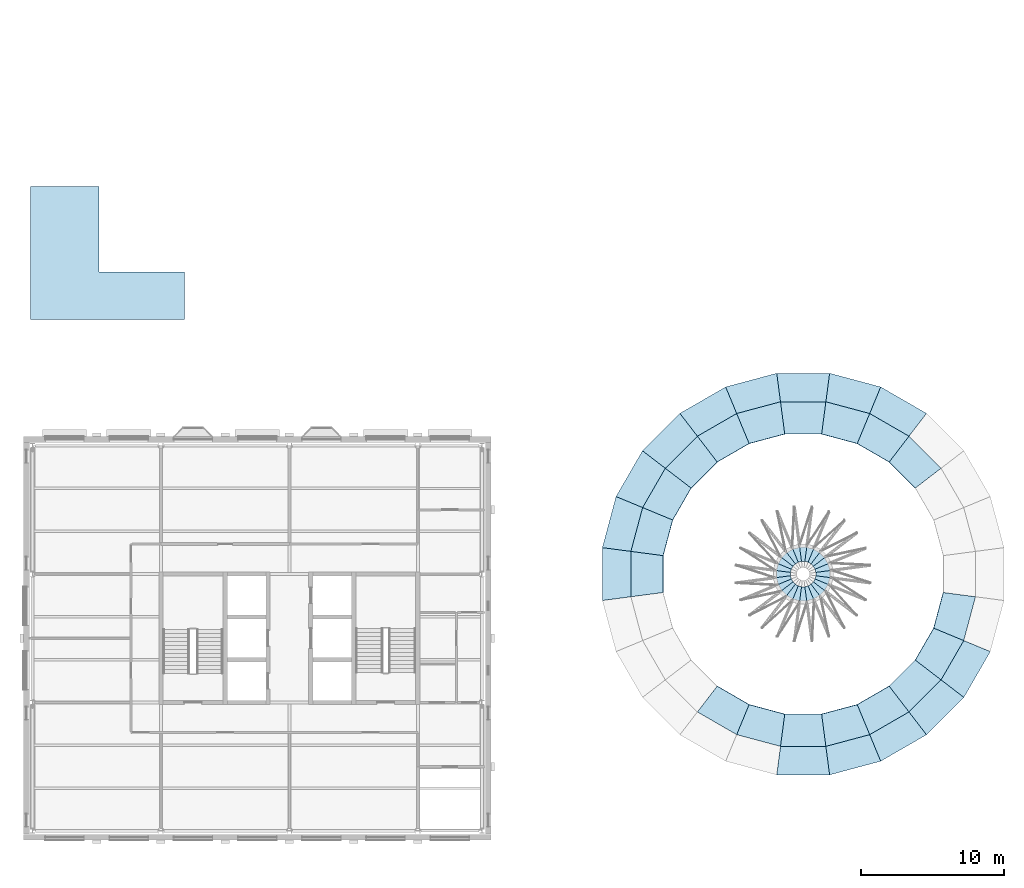
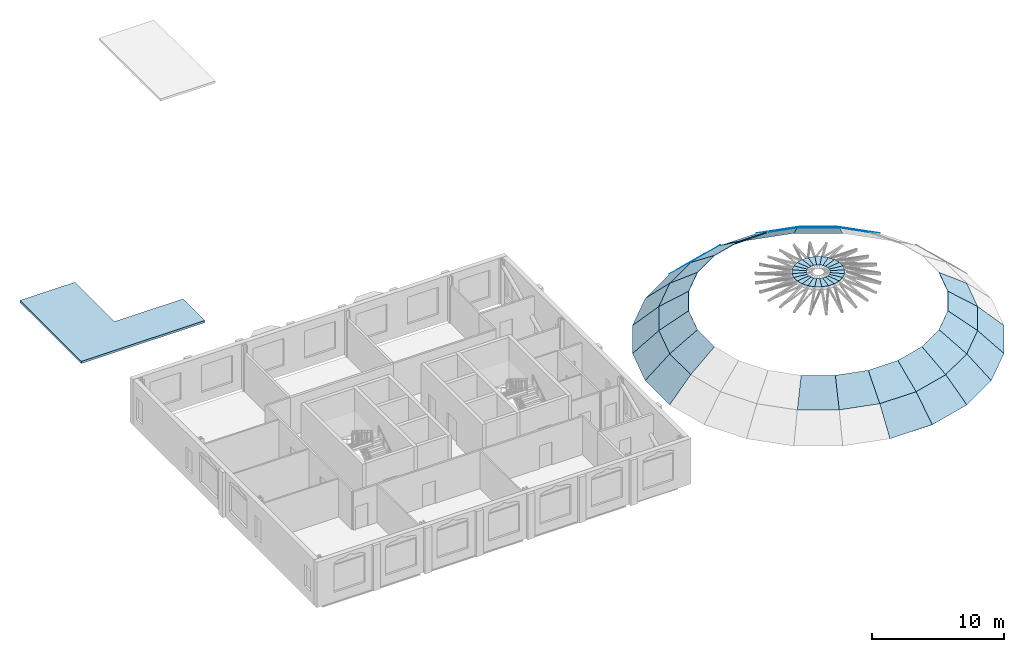
# One storey, part 6 of 15: 56 plates, 1 slab.
"""IFC4 building model written with IfcOpenShell, lengths in metres."""

from ifc_helpers import new_model, si_unit, direction, frame, origin, place, context, subcontext, project, spatial, polyline, outline, extrude, material, layer, layer_set, type_object, element, save


model = new_model("IFC4")

# Units and contexts
model_context = context("Model", 3, precision=1e-05, world=origin(), true_north=direction((0.0, 1.0)))
body_context = subcontext(model_context, "Body", "Model", "MODEL_VIEW")
ifc_project = project(units=[si_unit("LENGTHUNIT", "METRE"), si_unit("AREAUNIT", "SQUARE_METRE"), si_unit("VOLUMEUNIT", "CUBIC_METRE"), si_unit("PLANEANGLEUNIT", "RADIAN"), si_unit("MASSUNIT", "GRAM", prefix="KILO")], contexts=[model_context])

# Site, building, storey
site_placement = place(None, origin())
site = spatial("IfcSite", under=ifc_project, at=site_placement, CompositionType="ELEMENT")
building_placement = place(site_placement, origin())
building = spatial("IfcBuilding", under=site, at=building_placement, Name="Hortulan Conservatory and Botanical Research Centre", CompositionType="ELEMENT")
storey_placement = place(building_placement, frame((0.0, 0.0, 23.39990234375)))
storey = spatial("IfcBuildingStorey", under=building, at=storey_placement, Name="L05", CompositionType="ELEMENT", Elevation=23.39990234375)

# Plates
ifc_material_1 = material(Name="Low-e laminated glass", Category="glass")
ifc_layer_1 = layer(ifc_material_1, 0.030029296875)
ifc_layer_set_1 = layer_set([ifc_layer_1], Name="Dome Glazing Panel 30")
plate_type = type_object("IfcPlateType", Name="Dome Glazing Panel 30", PredefinedType="SHEET", material=ifc_layer_set_1)
plate_1_placement = place(storey_placement, frame((62.639404296875, 29.259033203125, -5.60791015625), z_axis=(0.348036569996, 0.602781169641, 0.718000980132), x_axis=(-0.866012357537, 0.500022596082, -3.27049e-07)))
element("IfcPlate", 1, at=plate_1_placement, inside=storey, type_object=plate_type, Name="Dome glazing panel", PredefinedType="SHEET", context=body_context, shape_type="SweptSolid", body=[
    extrude(outline(polyline([(0.0, 0.0), (3.7049086576722163, 0.0), (3.441649896173337, 2.7825453784847483), (0.26307654858377044, 2.782542144144782), (0.0, 0.0)])), origin(), (0.0, 0.0, -1.0), 0.030029296875),
])
plate_2_placement = place(storey_placement, frame((59.430908203125, 31.111572265625, -5.60791015625), z_axis=(0.180135919613, 0.672331337627, 0.717998344643), x_axis=(-0.96593347669, 0.258790491577, 8.854813e-06)))
element("IfcPlate", 2, at=plate_2_placement, inside=storey, type_object=plate_type, Name="Dome glazing panel", PredefinedType="SHEET", context=body_context, shape_type="SweptSolid", body=[
    extrude(outline(polyline([(0.0, 0.0), (3.704815225036295, 0.0), (3.441802043164362, 2.782489108197208), (0.26292770406576554, 2.7825766798388), (0.0, 0.0)])), origin(), (0.0, 0.0, -1.0), 0.030029296875),
])
plate_3_placement = place(storey_placement, frame((55.852294921875, 32.0703125, -5.60791015625), z_axis=(0.0, 0.696054019377, 0.717989416433), x_axis=(-1.0, 0.0, 0.0)))
element("IfcPlate", 3, at=plate_3_placement, inside=storey, type_object=plate_type, Name="Dome glazing panel", PredefinedType="SHEET", context=body_context, shape_type="SweptSolid", body=[
    extrude(outline(polyline([(0.0, 0.0), (3.70458984375, 0.0), (3.441650390625, 2.7824960767541804), (0.262939453125, 2.7824960767541804), (0.0, 0.0)])), origin(), (0.0, 0.0, -1.0), 0.030029296875),
])
plate_4_placement = place(storey_placement, frame((52.147705078125, 32.0703125, -5.60791015625), z_axis=(-0.180135919613, 0.672331337627, 0.717998344643), x_axis=(-0.96593347669, -0.258790491577, -8.854813e-06)))
element("IfcPlate", 4, at=plate_4_placement, inside=storey, type_object=plate_type, Name="Dome glazing panel", PredefinedType="SHEET", context=body_context, shape_type="SweptSolid", body=[
    extrude(outline(polyline([(0.0, 0.0), (3.704815225036295, 0.0), (3.4418875209705293, 2.7825766798388), (0.263013181871933, 2.782489108197208), (0.0, 0.0)])), origin(), (0.0, 0.0, -1.0), 0.030029296875),
])
plate_5_placement = place(storey_placement, frame((48.569091796875, 31.111572265625, -5.60791015625), z_axis=(-0.348036569996, 0.602781169641, 0.718000980132), x_axis=(-0.866012357537, -0.500022596082, 3.27049e-07)))
element("IfcPlate", 5, at=plate_5_placement, inside=storey, type_object=plate_type, Name="Dome glazing panel", PredefinedType="SHEET", context=body_context, shape_type="SweptSolid", body=[
    extrude(outline(polyline([(0.0, 0.0), (3.7049086576722163, 0.0), (3.4418321090884456, 2.782542144144782), (0.2632587614988792, 2.7825453784847487), (0.0, 0.0)])), origin(), (0.0, 0.0, -1.0), 0.030029296875),
])
plate_6_placement = place(storey_placement, frame((45.360595703125, 29.259033203125, -5.60791015625), z_axis=(-0.492173764936, 0.492173764936, 0.71800415752), x_axis=(-0.707106781187, -0.707106781187, 0.0)))
element("IfcPlate", 6, at=plate_6_placement, inside=storey, type_object=plate_type, Name="Dome glazing panel", PredefinedType="SHEET", context=body_context, shape_type="SweptSolid", body=[
    extrude(outline(polyline([(0.0, 0.0), (3.7047147276033474, 0.0), (3.4417939200478997, 2.7825568643450627), (0.26292080755544733, 2.7825568643450627), (0.0, 0.0)])), origin(), (0.0, 0.0, -1.0), 0.030029296875),
])
plate_7_placement = place(storey_placement, frame((42.740966796875, 26.639404296875, -5.60791015625), z_axis=(-0.602781169641, 0.348036569996, 0.718000980132), x_axis=(-0.500022596082, -0.866012357537, -3.27049e-07)))
element("IfcPlate", 7, at=plate_7_placement, inside=storey, type_object=plate_type, Name="Dome glazing panel", PredefinedType="SHEET", context=body_context, shape_type="SweptSolid", body=[
    extrude(outline(polyline([(0.0, 0.0), (3.7049086576722163, 0.0), (3.441649896173337, 2.7825453784847483), (0.26307654858377044, 2.782542144144782), (0.0, 0.0)])), origin(), (0.0, 0.0, -1.0), 0.030029296875),
])
plate_8_placement = place(storey_placement, frame((40.888427734375, 23.430908203125, -5.60791015625), z_axis=(-0.672331337627, 0.180135919613, 0.717998344643), x_axis=(-0.258790491577, -0.96593347669, 8.854813e-06)))
element("IfcPlate", 8, at=plate_8_placement, inside=storey, type_object=plate_type, Name="Dome glazing panel", PredefinedType="SHEET", context=body_context, shape_type="SweptSolid", body=[
    extrude(outline(polyline([(0.0, 0.0), (3.704815225036295, 0.0), (3.441802043164362, 2.782489108197208), (0.26292770406576554, 2.7825766798388), (0.0, 0.0)])), origin(), (0.0, 0.0, -1.0), 0.030029296875),
])
for number, where, z_axis, x_axis, name in (
    (9, (39.9296875, 19.852294921875, -5.60791015625), (-0.696054019377, 0.0, 0.717989416433), (0.0, -1.0, 0.0), "Dome glazing panel"),
    (10, (52.147705078125, 3.9296875, -5.60791015625), (0.0, -0.696054019377, 0.717989416433), (1.0, 0.0, 0.0), "Dome glazing panel"),
):
    element("IfcPlate", number, at=place(storey_placement, frame(where, z_axis=z_axis, x_axis=x_axis)), inside=storey, type_object=plate_type, Name=name, PredefinedType="SHEET", context=body_context, shape_type="SweptSolid", body=[
        extrude(outline(polyline([(0.0, 0.0), (3.70458984375, 0.0), (3.441650390625, 2.7824960767541804), (0.262939453125, 2.7824960767541804), (0.0, 0.0)])), origin(), (0.0, 0.0, -1.0), 0.030029296875),
    ])
plate_9_placement = place(storey_placement, frame((55.852294921875, 3.9296875, -5.60791015625), z_axis=(0.180135919613, -0.672331337627, 0.717998344643), x_axis=(0.96593347669, 0.258790491577, -8.854813e-06)))
element("IfcPlate", 11, at=plate_9_placement, inside=storey, type_object=plate_type, Name="Dome glazing panel", PredefinedType="SHEET", context=body_context, shape_type="SweptSolid", body=[
    extrude(outline(polyline([(0.0, 0.0), (3.704815225036295, 0.0), (3.4418875209705293, 2.7825766798388), (0.263013181871933, 2.782489108197208), (0.0, 0.0)])), origin(), (0.0, 0.0, -1.0), 0.030029296875),
])
plate_10_placement = place(storey_placement, frame((59.430908203125, 4.888427734375, -5.60791015625), z_axis=(0.348036569996, -0.602781169641, 0.718000980132), x_axis=(0.866012357537, 0.500022596082, 3.27049e-07)))
element("IfcPlate", 12, at=plate_10_placement, inside=storey, type_object=plate_type, Name="Dome glazing panel", PredefinedType="SHEET", context=body_context, shape_type="SweptSolid", body=[
    extrude(outline(polyline([(0.0, 0.0), (3.7049086576722163, 0.0), (3.4418321090884456, 2.782542144144782), (0.2632587614988792, 2.7825453784847487), (0.0, 0.0)])), origin(), (0.0, 0.0, -1.0), 0.030029296875),
])
plate_11_placement = place(storey_placement, frame((62.639404296875, 6.740966796875, -5.60791015625), z_axis=(0.492173764936, -0.492173764936, 0.71800415752), x_axis=(0.707106781187, 0.707106781187, 0.0)))
element("IfcPlate", 13, at=plate_11_placement, inside=storey, type_object=plate_type, Name="Dome glazing panel", PredefinedType="SHEET", context=body_context, shape_type="SweptSolid", body=[
    extrude(outline(polyline([(0.0, 0.0), (3.7047147276033474, 0.0), (3.4417939200478997, 2.7825568643450627), (0.26292080755544733, 2.7825568643450627), (0.0, 0.0)])), origin(), (0.0, 0.0, -1.0), 0.030029296875),
])
plate_12_placement = place(storey_placement, frame((65.259033203125, 9.360595703125, -5.60791015625), z_axis=(0.602781169641, -0.348036569996, 0.718000980132), x_axis=(0.500022596082, 0.866012357537, -3.27049e-07)))
element("IfcPlate", 14, at=plate_12_placement, inside=storey, type_object=plate_type, Name="Dome glazing panel", PredefinedType="SHEET", context=body_context, shape_type="SweptSolid", body=[
    extrude(outline(polyline([(0.0, 0.0), (3.7049086576722163, 0.0), (3.441649896173337, 2.7825453784847483), (0.26307654858377044, 2.782542144144782), (0.0, 0.0)])), origin(), (0.0, 0.0, -1.0), 0.030029296875),
])
plate_13_placement = place(storey_placement, frame((63.660400390625, 25.41259765625, -3.671142578125), z_axis=(0.412584942456, 0.412584942456, 0.812125193869), x_axis=(-0.707106781187, 0.707106781187, 0.0)))
element("IfcPlate", 15, at=plate_13_placement, inside=storey, type_object=plate_type, Name="Dome glazing panel", PredefinedType="SHEET", context=body_context, shape_type="SweptSolid", body=[
    extrude(outline(polyline([(0.0, 0.0), (3.178873112492453, 0.0), (2.8815982401283815, 2.779140808484649), (0.297274872364071, 2.7791408084846485), (0.0, 0.0)])), origin(), (0.0, 0.0, -1.0), 0.030029296875),
])
plate_14_placement = place(storey_placement, frame((61.41259765625, 27.660400390625, -3.671142578125), z_axis=(0.291738179215, 0.505295568728, 0.812136209642), x_axis=(-0.866015735142, 0.500016746143, -7.871061e-06)))
element("IfcPlate", 16, at=plate_14_placement, inside=storey, type_object=plate_type, Name="Dome glazing panel", PredefinedType="SHEET", context=body_context, shape_type="SweptSolid", body=[
    extrude(outline(polyline([(0.0, 0.0), (3.1785733474423767, -2.220446049250313e-16), (2.8814819439043142, 2.779252712095733), (0.2969553576927801, 2.7791749670922696), (0.0, 0.0)])), origin(), (0.0, 0.0, -1.0), 0.030029296875),
])
plate_15_placement = place(storey_placement, frame((58.659912109375, 29.249755859375, -3.671142578125), z_axis=(0.150989585877, 0.563572522042, 0.812150329284), x_axis=(-0.96592859097, 0.258808726506, -1.5180425e-05)))
element("IfcPlate", 17, at=plate_15_placement, inside=storey, type_object=plate_type, Name="Dome glazing panel", PredefinedType="SHEET", context=body_context, shape_type="SweptSolid", body=[
    extrude(outline(polyline([(0.0, 0.0), (3.1788743400778485, 1.1102230246251565e-16), (2.8816303902610962, 2.7793824362834103), (0.29728055027784417, 2.7792324860638553), (0.0, 0.0)])), origin(), (0.0, 0.0, -1.0), 0.030029296875),
])
plate_16_placement = place(storey_placement, frame((55.58935546875, 30.072509765625, -3.671142578125), z_axis=(0.0, 0.583429694249, 0.812163648453), x_axis=(-1.0, 0.0, 0.0)))
element("IfcPlate", 18, at=plate_16_placement, inside=storey, type_object=plate_type, Name="Dome glazing panel", PredefinedType="SHEET", context=body_context, shape_type="SweptSolid", body=[
    extrude(outline(polyline([(0.0, 0.0), (3.1787109375, 0.0), (2.881591796875, 2.7793957819332196), (0.297119140625, 2.7793957819332196), (0.0, 0.0)])), origin(), (0.0, 0.0, -1.0), 0.030029296875),
])
plate_17_placement = place(storey_placement, frame((52.41064453125, 30.072509765625, -3.671142578125), z_axis=(-0.150989585877, 0.563572522042, 0.812150329284), x_axis=(-0.96592859097, -0.258808726506, 1.5180425e-05)))
element("IfcPlate", 19, at=plate_17_placement, inside=storey, type_object=plate_type, Name="Dome glazing panel", PredefinedType="SHEET", context=body_context, shape_type="SweptSolid", body=[
    extrude(outline(polyline([(0.0, 0.0), (3.1788743400778485, -1.1102230246251565e-16), (2.881593789800004, 2.7792324860638544), (0.29724394981675195, 2.7793824362834103), (0.0, 0.0)])), origin(), (0.0, 0.0, -1.0), 0.030029296875),
])
plate_18_placement = place(storey_placement, frame((49.340087890625, 29.249755859375, -3.671142578125), z_axis=(-0.291738179215, 0.505295568728, 0.812136209642), x_axis=(-0.866015735142, -0.500016746143, 7.871061e-06)))
element("IfcPlate", 20, at=plate_18_placement, inside=storey, type_object=plate_type, Name="Dome glazing panel", PredefinedType="SHEET", context=body_context, shape_type="SweptSolid", body=[
    extrude(outline(polyline([(0.0, 0.0), (3.1785733474423767, 2.220446049250313e-16), (2.8816179897495964, 2.7791749670922696), (0.29709140353806257, 2.779252712095733), (0.0, 0.0)])), origin(), (0.0, 0.0, -1.0), 0.030029296875),
])
plate_19_placement = place(storey_placement, frame((46.58740234375, 27.660400390625, -3.671142578125), z_axis=(-0.412584942456, 0.412584942456, 0.812125193869), x_axis=(-0.707106781187, -0.707106781187, 0.0)))
element("IfcPlate", 21, at=plate_19_placement, inside=storey, type_object=plate_type, Name="Dome glazing panel", PredefinedType="SHEET", context=body_context, shape_type="SweptSolid", body=[
    extrude(outline(polyline([(0.0, 0.0), (3.178873112492453, 0.0), (2.8815982401283815, 2.779140808484649), (0.297274872364071, 2.7791408084846485), (0.0, 0.0)])), origin(), (0.0, 0.0, -1.0), 0.030029296875),
])
plate_20_placement = place(storey_placement, frame((44.339599609375, 25.41259765625, -3.671142578125), z_axis=(-0.505295568728, 0.291738179215, 0.812136209642), x_axis=(-0.500016746143, -0.866015735142, -7.871061e-06)))
element("IfcPlate", 22, at=plate_20_placement, inside=storey, type_object=plate_type, Name="Dome glazing panel", PredefinedType="SHEET", context=body_context, shape_type="SweptSolid", body=[
    extrude(outline(polyline([(0.0, 0.0), (3.1785733474423767, -2.220446049250313e-16), (2.8814819439043142, 2.779252712095733), (0.2969553576927801, 2.7791749670922696), (0.0, 0.0)])), origin(), (0.0, 0.0, -1.0), 0.030029296875),
])
plate_21_placement = place(storey_placement, frame((42.750244140625, 22.659912109375, -3.671142578125), z_axis=(-0.563572522042, 0.150989585877, 0.812150329284), x_axis=(-0.258808726506, -0.96592859097, -1.5180425e-05)))
element("IfcPlate", 23, at=plate_21_placement, inside=storey, type_object=plate_type, Name="Dome glazing panel", PredefinedType="SHEET", context=body_context, shape_type="SweptSolid", body=[
    extrude(outline(polyline([(0.0, 0.0), (3.1788743400778485, 1.1102230246251565e-16), (2.8816303902610962, 2.7793824362834103), (0.29728055027784417, 2.7792324860638553), (0.0, 0.0)])), origin(), (0.0, 0.0, -1.0), 0.030029296875),
])
plate_22_placement = place(storey_placement, frame((41.927490234375, 19.58935546875, -3.671142578125), z_axis=(-0.583429694249, 0.0, 0.812163648453), x_axis=(0.0, -1.0, 0.0)))
element("IfcPlate", 24, at=plate_22_placement, inside=storey, type_object=plate_type, Name="Dome glazing panel", PredefinedType="SHEET", context=body_context, shape_type="SweptSolid", body=[
    extrude(outline(polyline([(0.0, 0.0), (3.1787109375, 0.0), (2.881591796875, 2.7793957819332196), (0.297119140625, 2.7793957819332196), (0.0, 0.0)])), origin(), (0.0, 0.0, -1.0), 0.030029296875),
])
plate_23_placement = place(storey_placement, frame((46.58740234375, 8.339599609375, -3.671142578125), z_axis=(-0.291738179215, -0.505295568728, 0.812136209642), x_axis=(0.866015735142, -0.500016746143, -7.871061e-06)))
element("IfcPlate", 25, at=plate_23_placement, inside=storey, type_object=plate_type, Name="Dome glazing panel", PredefinedType="SHEET", context=body_context, shape_type="SweptSolid", body=[
    extrude(outline(polyline([(0.0, 0.0), (3.1785733474423767, -2.220446049250313e-16), (2.8814819439043142, 2.779252712095733), (0.2969553576927801, 2.7791749670922696), (0.0, 0.0)])), origin(), (0.0, 0.0, -1.0), 0.030029296875),
])
plate_24_placement = place(storey_placement, frame((49.340087890625, 6.750244140625, -3.671142578125), z_axis=(-0.150989585877, -0.563572522042, 0.812150329284), x_axis=(0.96592859097, -0.258808726506, -1.5180425e-05)))
element("IfcPlate", 26, at=plate_24_placement, inside=storey, type_object=plate_type, Name="Dome glazing panel", PredefinedType="SHEET", context=body_context, shape_type="SweptSolid", body=[
    extrude(outline(polyline([(0.0, 0.0), (3.1788743400778485, 1.1102230246251565e-16), (2.8816303902610962, 2.7793824362834103), (0.29728055027784417, 2.7792324860638553), (0.0, 0.0)])), origin(), (0.0, 0.0, -1.0), 0.030029296875),
])
plate_25_placement = place(storey_placement, frame((52.41064453125, 5.927490234375, -3.671142578125), z_axis=(0.0, -0.583429694249, 0.812163648453), x_axis=(1.0, 0.0, 0.0)))
element("IfcPlate", 27, at=plate_25_placement, inside=storey, type_object=plate_type, Name="Dome glazing panel", PredefinedType="SHEET", context=body_context, shape_type="SweptSolid", body=[
    extrude(outline(polyline([(0.0, 0.0), (3.1787109375, 0.0), (2.881591796875, 2.7793957819332196), (0.297119140625, 2.7793957819332196), (0.0, 0.0)])), origin(), (0.0, 0.0, -1.0), 0.030029296875),
])
plate_26_placement = place(storey_placement, frame((55.58935546875, 5.927490234375, -3.671142578125), z_axis=(0.150989585877, -0.563572522042, 0.812150329284), x_axis=(0.96592859097, 0.258808726506, 1.5180425e-05)))
element("IfcPlate", 28, at=plate_26_placement, inside=storey, type_object=plate_type, Name="Dome glazing panel", PredefinedType="SHEET", context=body_context, shape_type="SweptSolid", body=[
    extrude(outline(polyline([(0.0, 0.0), (3.1788743400778485, -1.1102230246251565e-16), (2.881593789800004, 2.7792324860638544), (0.29724394981675195, 2.7793824362834103), (0.0, 0.0)])), origin(), (0.0, 0.0, -1.0), 0.030029296875),
])
plate_27_placement = place(storey_placement, frame((58.659912109375, 6.750244140625, -3.671142578125), z_axis=(0.291738179215, -0.505295568728, 0.812136209642), x_axis=(0.866015735142, 0.500016746143, 7.871061e-06)))
element("IfcPlate", 29, at=plate_27_placement, inside=storey, type_object=plate_type, Name="Dome glazing panel", PredefinedType="SHEET", context=body_context, shape_type="SweptSolid", body=[
    extrude(outline(polyline([(0.0, 0.0), (3.1785733474423767, 2.220446049250313e-16), (2.8816179897495964, 2.7791749670922696), (0.29709140353806257, 2.779252712095733), (0.0, 0.0)])), origin(), (0.0, 0.0, -1.0), 0.030029296875),
])
plate_28_placement = place(storey_placement, frame((61.41259765625, 8.339599609375, -3.671142578125), z_axis=(0.412584942456, -0.412584942456, 0.812125193869), x_axis=(0.707106781187, 0.707106781187, 0.0)))
element("IfcPlate", 30, at=plate_28_placement, inside=storey, type_object=plate_type, Name="Dome glazing panel", PredefinedType="SHEET", context=body_context, shape_type="SweptSolid", body=[
    extrude(outline(polyline([(0.0, 0.0), (3.178873112492453, 0.0), (2.8815982401283815, 2.779140808484649), (0.297274872364071, 2.7791408084846485), (0.0, 0.0)])), origin(), (0.0, 0.0, -1.0), 0.030029296875),
])
plate_29_placement = place(storey_placement, frame((63.660400390625, 10.58740234375, -3.671142578125), z_axis=(0.505295568728, -0.291738179215, 0.812136209642), x_axis=(0.500016746143, 0.866015735142, -7.871061e-06)))
element("IfcPlate", 31, at=plate_29_placement, inside=storey, type_object=plate_type, Name="Dome glazing panel", PredefinedType="SHEET", context=body_context, shape_type="SweptSolid", body=[
    extrude(outline(polyline([(0.0, 0.0), (3.1785733474423767, -2.220446049250313e-16), (2.8814819439043142, 2.779252712095733), (0.2969553576927801, 2.7791749670922696), (0.0, 0.0)])), origin(), (0.0, 0.0, -1.0), 0.030029296875),
])
plate_30_placement = place(storey_placement, frame((65.249755859375, 13.340087890625, -3.671142578125), z_axis=(0.563572522042, -0.150989585877, 0.812150329284), x_axis=(0.258808726506, 0.96592859097, -1.5180425e-05)))
element("IfcPlate", 32, at=plate_30_placement, inside=storey, type_object=plate_type, Name="Dome glazing panel", PredefinedType="SHEET", context=body_context, shape_type="SweptSolid", body=[
    extrude(outline(polyline([(0.0, 0.0), (3.1788743400778485, 1.1102230246251565e-16), (2.8816303902610962, 2.7793824362834103), (0.29728055027784417, 2.7792324860638553), (0.0, 0.0)])), origin(), (0.0, 0.0, -1.0), 0.030029296875),
])
plate_31_placement = place(storey_placement, frame((56.00048828125, 18.263427734375, 0.660400390625), z_axis=(0.0, 0.0, 1.0), x_axis=(-0.259075840993, 0.965856981449, 0.0)))
element("IfcPlate", 33, at=plate_31_placement, inside=storey, type_object=plate_type, Name="Dome crown glazing", PredefinedType="SHEET", context=body_context, shape_type="SweptSolid", body=[
    extrude(outline(polyline([(0.0, 0.0), (0.5267747422985348, -2.7755575615628914e-17), (0.3811327257121013, 1.108034679679616), (0.14608466000047413, 1.1081426249293593), (0.0, 0.0)])), origin(), (0.0, 0.0, -1.0), 0.030029296875),
])
plate_32_placement = place(storey_placement, frame((55.864013671875, 18.772216796875, 0.660400390625), z_axis=(0.0, 0.0, 1.0), x_axis=(-0.500177194509, 0.865923076314, 0.0)))
element("IfcPlate", 34, at=plate_32_placement, inside=storey, type_object=plate_type, Name="Dome crown glazing", PredefinedType="SHEET", context=body_context, shape_type="SweptSolid", body=[
    extrude(outline(polyline([(0.0, 0.0), (0.5266688231029707, 2.7755575615628914e-17), (0.38087189428828483, 1.107949348435724), (0.14603323385654826, 1.1079831871366421), (0.0, 0.0)])), origin(), (0.0, 0.0, -1.0), 0.030029296875),
])
plate_33_placement = place(storey_placement, frame((55.6005859375, 19.228271484375, 0.660400390625), z_axis=(0.0, 0.0, 1.0), x_axis=(-0.707106781187, 0.707106781187, 0.0)))
element("IfcPlate", 35, at=plate_33_placement, inside=storey, type_object=plate_type, Name="Dome crown glazing", PredefinedType="SHEET", context=body_context, shape_type="SweptSolid", body=[
    extrude(outline(polyline([(0.0, 0.0), (0.526532149076897, 0.0), (0.380829482250372, 1.1079617484509918), (0.14570266682652494, 1.1079617484509918), (0.0, 0.0)])), origin(), (0.0, 0.0, -1.0), 0.030029296875),
])
plate_34_placement = place(storey_placement, frame((55.228271484375, 19.6005859375, 0.660400390625), z_axis=(0.0, 0.0, 1.0), x_axis=(-0.865923076314, 0.500177194509, 0.0)))
element("IfcPlate", 36, at=plate_34_placement, inside=storey, type_object=plate_type, Name="Dome crown glazing", PredefinedType="SHEET", context=body_context, shape_type="SweptSolid", body=[
    extrude(outline(polyline([(0.0, 0.0), (0.5266688231029707, -2.7755575615628914e-17), (0.3806355892464225, 1.1079831871366421), (0.1457969288146858, 1.107949348435724), (0.0, 0.0)])), origin(), (0.0, 0.0, -1.0), 0.030029296875),
])
plate_35_placement = place(storey_placement, frame((54.772216796875, 19.864013671875, 0.660400390625), z_axis=(0.0, 0.0, 1.0), x_axis=(-0.965856981449, 0.259075840993, 0.0)))
element("IfcPlate", 37, at=plate_35_placement, inside=storey, type_object=plate_type, Name="Dome crown glazing", PredefinedType="SHEET", context=body_context, shape_type="SweptSolid", body=[
    extrude(outline(polyline([(0.0, 0.0), (0.5267747422985348, 2.7755575615628914e-17), (0.3806900822980607, 1.1081426249293593), (0.1456420165864335, 1.108034679679616), (0.0, 0.0)])), origin(), (0.0, 0.0, -1.0), 0.030029296875),
])
plate_36_placement = place(storey_placement, frame((54.263427734375, 20.00048828125, 0.660400390625), z_axis=(0.0, 0.0, 1.0), x_axis=(-1.0, 0.0, 0.0)))
element("IfcPlate", 38, at=plate_36_placement, inside=storey, type_object=plate_type, Name="Dome crown glazing", PredefinedType="SHEET", context=body_context, shape_type="SweptSolid", body=[
    extrude(outline(polyline([(0.0, 0.0), (0.52685546875, 0.0), (0.380859375, 1.108154296875), (0.14599609375, 1.108154296875), (0.0, 0.0)])), origin(), (0.0, 0.0, -1.0), 0.030029296875),
])
plate_37_placement = place(storey_placement, frame((53.736572265625, 20.00048828125, 0.660400390625), z_axis=(0.0, 0.0, 1.0), x_axis=(-0.965856981449, -0.259075840993, 0.0)))
element("IfcPlate", 39, at=plate_37_placement, inside=storey, type_object=plate_type, Name="Dome crown glazing", PredefinedType="SHEET", context=body_context, shape_type="SweptSolid", body=[
    extrude(outline(polyline([(0.0, 0.0), (0.5267747422985348, -2.7755575615628914e-17), (0.3811327257121013, 1.108034679679616), (0.14608466000047413, 1.1081426249293593), (0.0, 0.0)])), origin(), (0.0, 0.0, -1.0), 0.030029296875),
])
plate_38_placement = place(storey_placement, frame((53.227783203125, 19.864013671875, 0.660400390625), z_axis=(0.0, 0.0, 1.0), x_axis=(-0.865923076314, -0.500177194509, 0.0)))
element("IfcPlate", 40, at=plate_38_placement, inside=storey, type_object=plate_type, Name="Dome crown glazing", PredefinedType="SHEET", context=body_context, shape_type="SweptSolid", body=[
    extrude(outline(polyline([(0.0, 0.0), (0.5266688231029707, 2.7755575615628914e-17), (0.38087189428828483, 1.107949348435724), (0.14603323385654826, 1.1079831871366421), (0.0, 0.0)])), origin(), (0.0, 0.0, -1.0), 0.030029296875),
])
plate_39_placement = place(storey_placement, frame((52.771728515625, 19.6005859375, 0.660400390625), z_axis=(0.0, 0.0, 1.0), x_axis=(-0.707106781187, -0.707106781187, 0.0)))
element("IfcPlate", 41, at=plate_39_placement, inside=storey, type_object=plate_type, Name="Dome crown glazing", PredefinedType="SHEET", context=body_context, shape_type="SweptSolid", body=[
    extrude(outline(polyline([(0.0, 0.0), (0.526532149076897, 0.0), (0.380829482250372, 1.1079617484509918), (0.14570266682652494, 1.1079617484509918), (0.0, 0.0)])), origin(), (0.0, 0.0, -1.0), 0.030029296875),
])
plate_40_placement = place(storey_placement, frame((52.3994140625, 19.228271484375, 0.660400390625), z_axis=(0.0, 0.0, 1.0), x_axis=(-0.500177194509, -0.865923076314, 0.0)))
element("IfcPlate", 42, at=plate_40_placement, inside=storey, type_object=plate_type, Name="Dome crown glazing", PredefinedType="SHEET", context=body_context, shape_type="SweptSolid", body=[
    extrude(outline(polyline([(0.0, 0.0), (0.5266688231029707, -2.7755575615628914e-17), (0.3806355892464225, 1.1079831871366421), (0.1457969288146858, 1.107949348435724), (0.0, 0.0)])), origin(), (0.0, 0.0, -1.0), 0.030029296875),
])
plate_41_placement = place(storey_placement, frame((52.135986328125, 18.772216796875, 0.660400390625), z_axis=(0.0, 0.0, 1.0), x_axis=(-0.259075840993, -0.965856981449, 0.0)))
element("IfcPlate", 43, at=plate_41_placement, inside=storey, type_object=plate_type, Name="Dome crown glazing", PredefinedType="SHEET", context=body_context, shape_type="SweptSolid", body=[
    extrude(outline(polyline([(0.0, 0.0), (0.5267747422985348, 2.7755575615628914e-17), (0.3806900822980607, 1.1081426249293593), (0.1456420165864335, 1.108034679679616), (0.0, 0.0)])), origin(), (0.0, 0.0, -1.0), 0.030029296875),
])
plate_42_placement = place(storey_placement, frame((51.99951171875, 18.263427734375, 0.660400390625), z_axis=(0.0, 0.0, 1.0), x_axis=(0.0, -1.0, 0.0)))
element("IfcPlate", 44, at=plate_42_placement, inside=storey, type_object=plate_type, Name="Dome crown glazing", PredefinedType="SHEET", context=body_context, shape_type="SweptSolid", body=[
    extrude(outline(polyline([(0.0, 0.0), (0.52685546875, 0.0), (0.380859375, 1.108154296875), (0.14599609375, 1.108154296875), (0.0, 0.0)])), origin(), (0.0, 0.0, -1.0), 0.030029296875),
])
plate_43_placement = place(storey_placement, frame((51.99951171875, 17.736572265625, 0.660400390625), z_axis=(0.0, 0.0, 1.0), x_axis=(0.259075840993, -0.965856981449, 0.0)))
element("IfcPlate", 45, at=plate_43_placement, inside=storey, type_object=plate_type, Name="Dome crown glazing", PredefinedType="SHEET", context=body_context, shape_type="SweptSolid", body=[
    extrude(outline(polyline([(0.0, 0.0), (0.5267747422985348, -2.7755575615628914e-17), (0.3811327257121013, 1.108034679679616), (0.14608466000047413, 1.1081426249293593), (0.0, 0.0)])), origin(), (0.0, 0.0, -1.0), 0.030029296875),
])
plate_44_placement = place(storey_placement, frame((52.135986328125, 17.227783203125, 0.660400390625), z_axis=(0.0, 0.0, 1.0), x_axis=(0.500177194509, -0.865923076314, 0.0)))
element("IfcPlate", 46, at=plate_44_placement, inside=storey, type_object=plate_type, Name="Dome crown glazing", PredefinedType="SHEET", context=body_context, shape_type="SweptSolid", body=[
    extrude(outline(polyline([(0.0, 0.0), (0.5266688231029707, 2.7755575615628914e-17), (0.38087189428828483, 1.107949348435724), (0.14603323385654826, 1.1079831871366421), (0.0, 0.0)])), origin(), (0.0, 0.0, -1.0), 0.030029296875),
])
plate_45_placement = place(storey_placement, frame((52.3994140625, 16.771728515625, 0.660400390625), z_axis=(0.0, 0.0, 1.0), x_axis=(0.707106781187, -0.707106781187, 0.0)))
element("IfcPlate", 47, at=plate_45_placement, inside=storey, type_object=plate_type, Name="Dome crown glazing", PredefinedType="SHEET", context=body_context, shape_type="SweptSolid", body=[
    extrude(outline(polyline([(0.0, 0.0), (0.526532149076897, 0.0), (0.380829482250372, 1.1079617484509918), (0.14570266682652494, 1.1079617484509918), (0.0, 0.0)])), origin(), (0.0, 0.0, -1.0), 0.030029296875),
])
plate_46_placement = place(storey_placement, frame((52.771728515625, 16.3994140625, 0.660400390625), z_axis=(0.0, 0.0, 1.0), x_axis=(0.865923076314, -0.500177194509, 0.0)))
element("IfcPlate", 48, at=plate_46_placement, inside=storey, type_object=plate_type, Name="Dome crown glazing", PredefinedType="SHEET", context=body_context, shape_type="SweptSolid", body=[
    extrude(outline(polyline([(0.0, 0.0), (0.5266688231029707, -2.7755575615628914e-17), (0.3806355892464225, 1.1079831871366421), (0.1457969288146858, 1.107949348435724), (0.0, 0.0)])), origin(), (0.0, 0.0, -1.0), 0.030029296875),
])
plate_47_placement = place(storey_placement, frame((53.227783203125, 16.135986328125, 0.660400390625), z_axis=(0.0, 0.0, 1.0), x_axis=(0.965856981449, -0.259075840993, 0.0)))
element("IfcPlate", 49, at=plate_47_placement, inside=storey, type_object=plate_type, Name="Dome crown glazing", PredefinedType="SHEET", context=body_context, shape_type="SweptSolid", body=[
    extrude(outline(polyline([(0.0, 0.0), (0.5267747422985348, 2.7755575615628914e-17), (0.3806900822980607, 1.1081426249293593), (0.1456420165864335, 1.108034679679616), (0.0, 0.0)])), origin(), (0.0, 0.0, -1.0), 0.030029296875),
])
plate_48_placement = place(storey_placement, frame((53.736572265625, 15.99951171875, 0.660400390625), z_axis=(0.0, 0.0, 1.0), x_axis=(1.0, 0.0, 0.0)))
element("IfcPlate", 50, at=plate_48_placement, inside=storey, type_object=plate_type, Name="Dome crown glazing", PredefinedType="SHEET", context=body_context, shape_type="SweptSolid", body=[
    extrude(outline(polyline([(0.0, 0.0), (0.52685546875, 0.0), (0.380859375, 1.108154296875), (0.14599609375, 1.108154296875), (0.0, 0.0)])), origin(), (0.0, 0.0, -1.0), 0.030029296875),
])
plate_49_placement = place(storey_placement, frame((54.263427734375, 15.99951171875, 0.660400390625), z_axis=(0.0, 0.0, 1.0), x_axis=(0.965856981449, 0.259075840993, 0.0)))
element("IfcPlate", 51, at=plate_49_placement, inside=storey, type_object=plate_type, Name="Dome crown glazing", PredefinedType="SHEET", context=body_context, shape_type="SweptSolid", body=[
    extrude(outline(polyline([(0.0, 0.0), (0.5267747422985348, -2.7755575615628914e-17), (0.3811327257121013, 1.108034679679616), (0.14608466000047413, 1.1081426249293593), (0.0, 0.0)])), origin(), (0.0, 0.0, -1.0), 0.030029296875),
])
plate_50_placement = place(storey_placement, frame((54.772216796875, 16.135986328125, 0.660400390625), z_axis=(0.0, 0.0, 1.0), x_axis=(0.865923076314, 0.500177194509, 0.0)))
element("IfcPlate", 52, at=plate_50_placement, inside=storey, type_object=plate_type, Name="Dome crown glazing", PredefinedType="SHEET", context=body_context, shape_type="SweptSolid", body=[
    extrude(outline(polyline([(0.0, 0.0), (0.5266688231029707, 2.7755575615628914e-17), (0.38087189428828483, 1.107949348435724), (0.14603323385654826, 1.1079831871366421), (0.0, 0.0)])), origin(), (0.0, 0.0, -1.0), 0.030029296875),
])
plate_51_placement = place(storey_placement, frame((55.228271484375, 16.3994140625, 0.660400390625), z_axis=(0.0, 0.0, 1.0), x_axis=(0.707106781187, 0.707106781187, 0.0)))
element("IfcPlate", 53, at=plate_51_placement, inside=storey, type_object=plate_type, Name="Dome crown glazing", PredefinedType="SHEET", context=body_context, shape_type="SweptSolid", body=[
    extrude(outline(polyline([(0.0, 0.0), (0.526532149076897, 0.0), (0.380829482250372, 1.1079617484509918), (0.14570266682652494, 1.1079617484509918), (0.0, 0.0)])), origin(), (0.0, 0.0, -1.0), 0.030029296875),
])
plate_52_placement = place(storey_placement, frame((55.6005859375, 16.771728515625, 0.660400390625), z_axis=(0.0, 0.0, 1.0), x_axis=(0.500177194509, 0.865923076314, 0.0)))
element("IfcPlate", 54, at=plate_52_placement, inside=storey, type_object=plate_type, Name="Dome crown glazing", PredefinedType="SHEET", context=body_context, shape_type="SweptSolid", body=[
    extrude(outline(polyline([(0.0, 0.0), (0.5266688231029707, -2.7755575615628914e-17), (0.3806355892464225, 1.1079831871366421), (0.1457969288146858, 1.107949348435724), (0.0, 0.0)])), origin(), (0.0, 0.0, -1.0), 0.030029296875),
])
plate_53_placement = place(storey_placement, frame((55.864013671875, 17.227783203125, 0.660400390625), z_axis=(0.0, 0.0, 1.0), x_axis=(0.259075840993, 0.965856981449, 0.0)))
element("IfcPlate", 55, at=plate_53_placement, inside=storey, type_object=plate_type, Name="Dome crown glazing", PredefinedType="SHEET", context=body_context, shape_type="SweptSolid", body=[
    extrude(outline(polyline([(0.0, 0.0), (0.5267747422985348, 2.7755575615628914e-17), (0.3806900822980607, 1.1081426249293593), (0.1456420165864335, 1.108034679679616), (0.0, 0.0)])), origin(), (0.0, 0.0, -1.0), 0.030029296875),
])
plate_54_placement = place(storey_placement, frame((56.00048828125, 17.736572265625, 0.660400390625), z_axis=(0.0, 0.0, 1.0), x_axis=(0.0, 1.0, 0.0)))
element("IfcPlate", 56, at=plate_54_placement, inside=storey, type_object=plate_type, Name="Dome crown glazing", PredefinedType="SHEET", context=body_context, shape_type="SweptSolid", body=[
    extrude(outline(polyline([(0.0, 0.0), (0.52685546875, 0.0), (0.380859375, 1.108154296875), (0.14599609375, 1.108154296875), (0.0, 0.0)])), origin(), (0.0, 0.0, -1.0), 0.030029296875),
])

# Slab
ifc_material_2 = material(Name="Concrete N40 (40 MPa, AS 3600)", Category="concrete")
ifc_layer_2 = layer(ifc_material_2, 0.199951171875)
ifc_layer_set_2 = layer_set([ifc_layer_2], Name="Shaft Head Roof 200")
slab_type = type_object("IfcSlabType", Name="Shaft Head Roof 200", PredefinedType="ROOF", material=ifc_layer_set_2)
slab_placement = place(storey_placement, frame((0.0, 0.0, 0.300048828125)))
element("IfcSlab", 57, at=slab_placement, inside=storey, type_object=slab_type, Name="Roof garden VC19200-1 head roof", PredefinedType="ROOF", context=body_context, shape_type="SweptSolid", body=[
    extrude(outline(polyline([(10.64990234375, 39.14990234375), (10.64990234375, 35.85009765625), (-0.14990234375, 35.85009765625), (-0.14990234375, 45.14990234375), (4.64990234375, 45.14990234375), (4.64990234375, 39.14990234375), (10.64990234375, 39.14990234375)])), origin(), (0.0, 0.0, 1.0), 0.199951171875),
])

save(model, "model.ifc")
